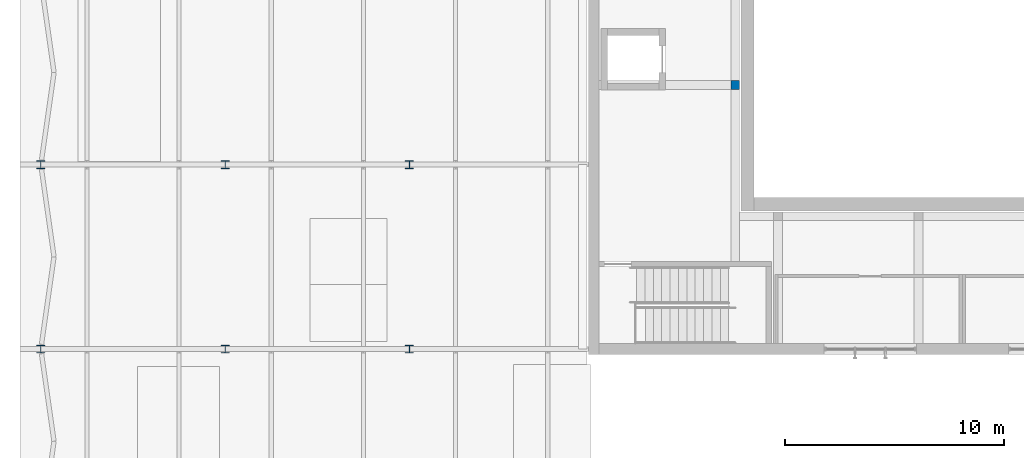
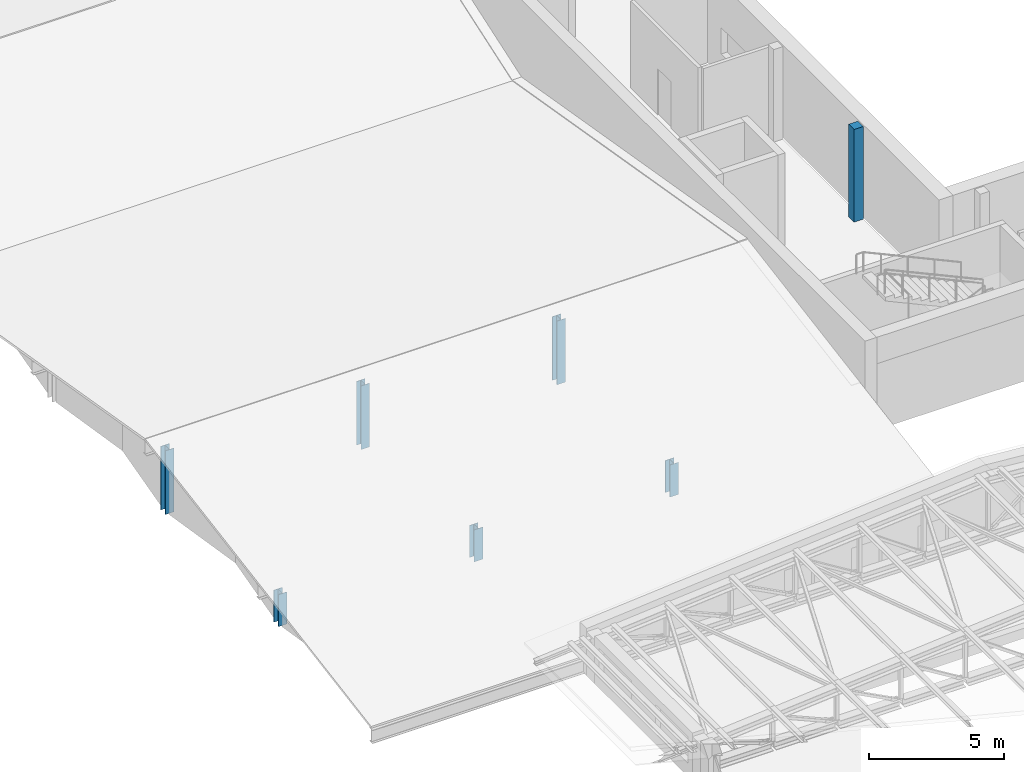
# One storey, part 2 of 60: 7 columns.
"""IFC4 building model written with IfcOpenShell, lengths in metres."""

from ifc_helpers import new_model, si_unit, direction, frame, origin, origin_2d, place, context, subcontext, project, spatial, rectangle, i_section, extrude, material, material_profile, profile_set, type_object, element, save


model = new_model("IFC4")

# Units and contexts
model_context = context("Model", 3, precision=1e-05, world=origin(), true_north=direction((0.0, 1.0)))
body_context = subcontext(model_context, "Body", "Model", "MODEL_VIEW")
ifc_project = project(units=[si_unit("LENGTHUNIT", "METRE"), si_unit("AREAUNIT", "SQUARE_METRE"), si_unit("VOLUMEUNIT", "CUBIC_METRE"), si_unit("PLANEANGLEUNIT", "RADIAN"), si_unit("MASSUNIT", "GRAM", prefix="KILO")], contexts=[model_context])

# Site, building, storey
site_placement = place(None, origin())
site = spatial("IfcSite", under=ifc_project, at=site_placement, CompositionType="ELEMENT")
building_placement = place(site_placement, origin())
building = spatial("IfcBuilding", under=site, at=building_placement, Name="Ljudholm Concert House", CompositionType="ELEMENT")
storey_placement = place(building_placement, frame((0.0, 0.0, 15.0)))
storey = spatial("IfcBuildingStorey", under=building, at=storey_placement, Name="L03", CompositionType="ELEMENT", Elevation=15.0)

# Columns
ifc_material_1 = material(Name="Concrete 6,500 psi", Category="concrete")
ifc_material_profile_1 = material_profile(ifc_material_1, rectangle(XDim=0.39990234375, YDim=0.39990234375, at=origin_2d()), Name="RC COLUMN 400x400")
ifc_profile_set_1 = profile_set([ifc_material_profile_1], Name="Concrete 6,500 psi")
column_type_1 = type_object("IfcColumnType", Name="RC COLUMN 400x400", PredefinedType="COLUMN", material=ifc_profile_set_1)
column_placement = place(storey_placement, frame((35.64990234375, 66.429931640625, 0.0), z_axis=(0.0, 0.0, 1.0), x_axis=(1.0, 0.0, 0.0)))
element("IfcColumn", 1, at=column_placement, inside=storey, type_object=column_type_1, Name="Ring column", PredefinedType="COLUMN", context=body_context, shape_type="SweptSolid", body=[
    extrude(rectangle(XDim=0.39990234375, YDim=0.39990234375, at=origin_2d()), origin(), (0.0, 0.0, 1.0), 4.199951171875),
])
ifc_material_2 = material(Name="Steel ASTM A992", Category="steel")
ifc_material_profile_2 = material_profile(ifc_material_2, i_section(OverallWidth=0.368408203125, OverallDepth=0.355712890625, WebThickness=0.01123046875, FlangeThickness=0.01806640625, FilletRadius=0.01513671875, at=origin_2d()), Name="W14X90")
ifc_profile_set_2 = profile_set([ifc_material_profile_2], Name="Steel ASTM A992")
column_type_2 = type_object("IfcColumnType", Name="STEEL COLUMN W14X90", PredefinedType="COLUMN", material=ifc_profile_set_2)
for number, where, z_axis, x_axis, name in (
    (2, (4.0, 54.39990234375, 0.0), (0.0, 0.0, 1.0), (1.0, 0.0, 0.0), "Roof post"),
    (3, (12.39990234375, 54.39990234375, 0.0), (0.0, 0.0, 1.0), (1.0, 0.0, 0.0), "Roof post"),
    (4, (20.800048828125, 54.39990234375, 0.0), (0.0, 0.0, 1.0), (1.0, 0.0, 0.0), "Roof post"),
):
    element("IfcColumn", number, at=place(storey_placement, frame(where, z_axis=z_axis, x_axis=x_axis)), inside=storey, type_object=column_type_2, Name=name, PredefinedType="COLUMN", context=body_context, shape_type="SweptSolid", body=[
        extrude(i_section(OverallWidth=0.368408203125, OverallDepth=0.355712890625, WebThickness=0.01123046875, FlangeThickness=0.01806640625, FilletRadius=0.01513671875, at=origin_2d()), origin(), (0.0, 0.0, 1.0), 1.452392578125),
    ])
for number, where, z_axis, x_axis, name in (
    (5, (4.0, 62.800048828125, 0.0), (0.0, 0.0, 1.0), (1.0, 0.0, 0.0), "Roof post"),
    (6, (12.39990234375, 62.800048828125, 0.0), (0.0, 0.0, 1.0), (1.0, 0.0, 0.0), "Roof post"),
    (7, (20.800048828125, 62.800048828125, 0.0), (0.0, 0.0, 1.0), (1.0, 0.0, 0.0), "Roof post"),
):
    element("IfcColumn", number, at=place(storey_placement, frame(where, z_axis=z_axis, x_axis=x_axis)), inside=storey, type_object=column_type_2, Name=name, PredefinedType="COLUMN", context=body_context, shape_type="SweptSolid", body=[
        extrude(i_section(OverallWidth=0.368408203125, OverallDepth=0.355712890625, WebThickness=0.01123046875, FlangeThickness=0.01806640625, FilletRadius=0.01513671875, at=origin_2d()), origin(), (0.0, 0.0, 1.0), 2.886474609375),
    ])

save(model, "model.ifc")
